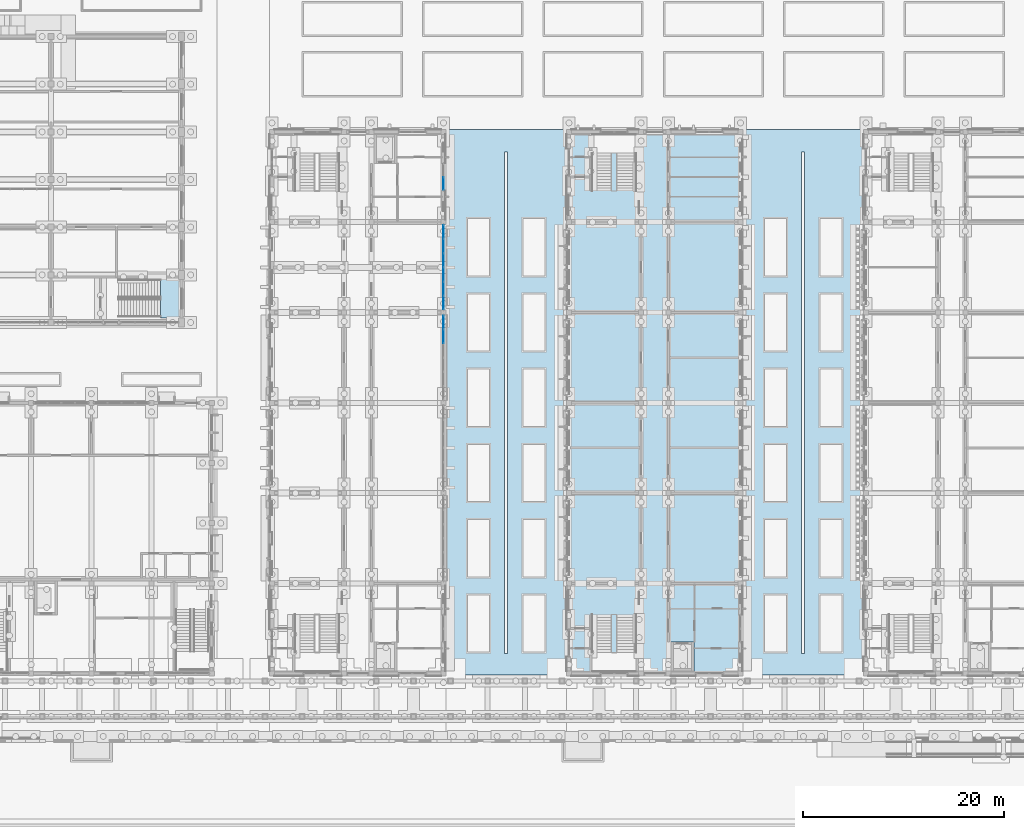
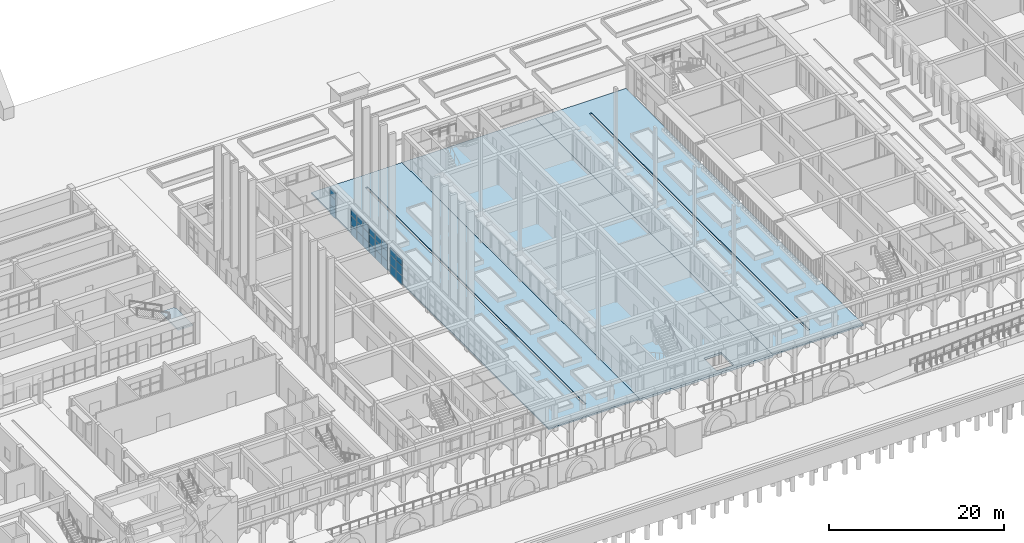
# One storey, part 47 of 161: 27 plates, 4 slabs, 4 elements without a shape of their own.
"""IFC4 building model written with IfcOpenShell, lengths in metres."""

from ifc_helpers import new_model, si_unit, direction, frame, origin, origin_2d, place, context, subcontext, project, spatial, polyline, rectangle, outline, extrude, material, layer, layer_set, type_object, element, aggregate, save


model = new_model("IFC4")

# Units and contexts
model_context = context("Model", 3, precision=1e-05, world=origin(), true_north=direction((0.0, 1.0)))
body_context = subcontext(model_context, "Body", "Model", "MODEL_VIEW")
ifc_project = project(units=[si_unit("LENGTHUNIT", "METRE"), si_unit("AREAUNIT", "SQUARE_METRE"), si_unit("VOLUMEUNIT", "CUBIC_METRE"), si_unit("PLANEANGLEUNIT", "RADIAN"), si_unit("MASSUNIT", "GRAM", prefix="KILO")], contexts=[model_context])

# Site, building, storey
site_placement = place(None, origin())
site = spatial("IfcSite", under=ifc_project, at=site_placement, CompositionType="ELEMENT")
building_placement = place(site_placement, origin())
building = spatial("IfcBuilding", under=site, at=building_placement, Name="Elbe Cascade School", CompositionType="ELEMENT")
storey_placement = place(building_placement, origin())
storey = spatial("IfcBuildingStorey", under=building, at=storey_placement, Name="L00", CompositionType="ELEMENT", Elevation=0.0)

# Curtain wall, plates
ifc_material_1 = material(Name="Aluminium frame with double glazing, bronze anodised", Category="aluminium")
ifc_layer_1 = layer(ifc_material_1, 0.199951171875)
ifc_layer_set_1 = layer_set([ifc_layer_1], Name="Aluminium frame with double glazing, bronze anodised")
curtain_wall_type = type_object("IfcCurtainWallType", Name="Bars envelope Curtain wall, aluminium, bronze anodised, ground floor tall run", PredefinedType="NOTDEFINED", material=ifc_layer_set_1)
curtain_wall_1_placement = place(storey_placement, origin())
curtain_wall_1 = element("IfcCurtainWall", 1, at=curtain_wall_1_placement, inside=storey, type_object=curtain_wall_type, Name="Curtain wall CW3 A.L00.e4", PredefinedType="NOTDEFINED")
ifc_material_2 = material(Name="Glass - double glazed low-E", Category="glass")
ifc_layer_2 = layer(ifc_material_2, 0.035888671875)
ifc_layer_set_2 = layer_set([ifc_layer_2], Name="Glass - double glazed low-E")
plate_type = type_object("IfcPlateType", Name="Bars envelope Curtain wall glazing panel 36 mm, double glazed, ground floor tall run", PredefinedType="CURTAIN_PANEL", material=ifc_layer_set_2)
plate_1_placement = place(storey_placement, frame((86.10009765625, 41.026611328125, 0.06005859375), z_axis=(0.0, 0.0, 1.0), x_axis=(0.0, -1.0, 0.0)))
plate_1 = element("IfcPlate", 2, at=plate_1_placement, type_object=plate_type, Name="CW3 panel 1.1", PredefinedType="CURTAIN_PANEL", context=body_context, shape_type="SweptSolid", body=[
    extrude(rectangle(XDim=1.32666015625, YDim=0.035888671875, at=origin_2d()), origin(), (0.0, 0.0, 1.0), 1.260009765625),
])
plate_2_placement = place(storey_placement, frame((86.10009765625, 41.026611328125, 1.3798828125), z_axis=(0.0, 0.0, 1.0), x_axis=(0.0, -1.0, 0.0)))
plate_2 = element("IfcPlate", 3, at=plate_2_placement, type_object=plate_type, Name="CW3 panel 1.2", PredefinedType="CURTAIN_PANEL", context=body_context, shape_type="SweptSolid", body=[
    extrude(rectangle(XDim=1.32666015625, YDim=0.035888671875, at=origin_2d()), origin(), (0.0, 0.0, 1.0), 1.2900390625),
])
plate_3_placement = place(storey_placement, frame((86.10009765625, 41.026611328125, 2.72998046875), z_axis=(0.0, 0.0, 1.0), x_axis=(0.0, -1.0, 0.0)))
plate_3 = element("IfcPlate", 4, at=plate_3_placement, type_object=plate_type, Name="CW3 panel 1.3", PredefinedType="CURTAIN_PANEL", context=body_context, shape_type="SweptSolid", body=[
    extrude(rectangle(XDim=1.32666015625, YDim=0.035888671875, at=origin_2d()), origin(), (0.0, 0.0, 1.0), 0.9599609375),
])
plate_4_placement = place(storey_placement, frame((86.10009765625, 39.625, 0.06005859375), z_axis=(0.0, 0.0, 1.0), x_axis=(0.0, -1.0, 0.0)))
plate_4 = element("IfcPlate", 5, at=plate_4_placement, type_object=plate_type, Name="CW3 panel 2.1", PredefinedType="CURTAIN_PANEL", context=body_context, shape_type="SweptSolid", body=[
    extrude(rectangle(XDim=1.356689453125, YDim=0.035888671875, at=origin_2d()), origin(), (0.0, 0.0, 1.0), 1.260009765625),
])
plate_5_placement = place(storey_placement, frame((86.10009765625, 39.625, 1.3798828125), z_axis=(0.0, 0.0, 1.0), x_axis=(0.0, -1.0, 0.0)))
plate_5 = element("IfcPlate", 6, at=plate_5_placement, type_object=plate_type, Name="CW3 panel 2.2", PredefinedType="CURTAIN_PANEL", context=body_context, shape_type="SweptSolid", body=[
    extrude(rectangle(XDim=1.356689453125, YDim=0.035888671875, at=origin_2d()), origin(), (0.0, 0.0, 1.0), 1.2900390625),
])
plate_6_placement = place(storey_placement, frame((86.10009765625, 39.625, 2.72998046875), z_axis=(0.0, 0.0, 1.0), x_axis=(0.0, -1.0, 0.0)))
plate_6 = element("IfcPlate", 7, at=plate_6_placement, type_object=plate_type, Name="CW3 panel 2.3", PredefinedType="CURTAIN_PANEL", context=body_context, shape_type="SweptSolid", body=[
    extrude(rectangle(XDim=1.356689453125, YDim=0.035888671875, at=origin_2d()), origin(), (0.0, 0.0, 1.0), 0.9599609375),
])
aggregate(curtain_wall_1, [plate_1, plate_2, plate_3, plate_4, plate_5, plate_6])

curtain_wall_2_placement = place(storey_placement, origin())
curtain_wall_2 = element("IfcCurtainWall", 8, at=curtain_wall_2_placement, inside=storey, type_object=curtain_wall_type, Name="Curtain wall CW3 A.L00.e5", PredefinedType="NOTDEFINED")
plate_7_placement = place(storey_placement, frame((86.10009765625, 50.026611328125, 0.06005859375), z_axis=(0.0, 0.0, 1.0), x_axis=(0.0, -1.0, 0.0)))
plate_7 = element("IfcPlate", 9, at=plate_7_placement, type_object=plate_type, Name="CW3 panel 1.1", PredefinedType="CURTAIN_PANEL", context=body_context, shape_type="SweptSolid", body=[
    extrude(rectangle(XDim=1.32666015625, YDim=0.035888671875, at=origin_2d()), origin(), (0.0, 0.0, 1.0), 1.260009765625),
])
plate_8_placement = place(storey_placement, frame((86.10009765625, 50.026611328125, 1.3798828125), z_axis=(0.0, 0.0, 1.0), x_axis=(0.0, -1.0, 0.0)))
plate_8 = element("IfcPlate", 10, at=plate_8_placement, type_object=plate_type, Name="CW3 panel 1.2", PredefinedType="CURTAIN_PANEL", context=body_context, shape_type="SweptSolid", body=[
    extrude(rectangle(XDim=1.32666015625, YDim=0.035888671875, at=origin_2d()), origin(), (0.0, 0.0, 1.0), 1.2900390625),
])
plate_9_placement = place(storey_placement, frame((86.10009765625, 50.026611328125, 2.72998046875), z_axis=(0.0, 0.0, 1.0), x_axis=(0.0, -1.0, 0.0)))
plate_9 = element("IfcPlate", 11, at=plate_9_placement, type_object=plate_type, Name="CW3 panel 1.3", PredefinedType="CURTAIN_PANEL", context=body_context, shape_type="SweptSolid", body=[
    extrude(rectangle(XDim=1.32666015625, YDim=0.035888671875, at=origin_2d()), origin(), (0.0, 0.0, 1.0), 0.9599609375),
])
plate_10_placement = place(storey_placement, frame((86.10009765625, 48.625, 0.06005859375), z_axis=(0.0, 0.0, 1.0), x_axis=(0.0, -1.0, 0.0)))
plate_10 = element("IfcPlate", 12, at=plate_10_placement, type_object=plate_type, Name="CW3 panel 2.1", PredefinedType="CURTAIN_PANEL", context=body_context, shape_type="SweptSolid", body=[
    extrude(rectangle(XDim=1.356689453125, YDim=0.035888671875, at=origin_2d()), origin(), (0.0, 0.0, 1.0), 1.260009765625),
])
plate_11_placement = place(storey_placement, frame((86.10009765625, 48.625, 1.3798828125), z_axis=(0.0, 0.0, 1.0), x_axis=(0.0, -1.0, 0.0)))
plate_11 = element("IfcPlate", 13, at=plate_11_placement, type_object=plate_type, Name="CW3 panel 2.2", PredefinedType="CURTAIN_PANEL", context=body_context, shape_type="SweptSolid", body=[
    extrude(rectangle(XDim=1.356689453125, YDim=0.035888671875, at=origin_2d()), origin(), (0.0, 0.0, 1.0), 1.2900390625),
])
plate_12_placement = place(storey_placement, frame((86.10009765625, 48.625, 2.72998046875), z_axis=(0.0, 0.0, 1.0), x_axis=(0.0, -1.0, 0.0)))
plate_12 = element("IfcPlate", 14, at=plate_12_placement, type_object=plate_type, Name="CW3 panel 2.3", PredefinedType="CURTAIN_PANEL", context=body_context, shape_type="SweptSolid", body=[
    extrude(rectangle(XDim=1.356689453125, YDim=0.035888671875, at=origin_2d()), origin(), (0.0, 0.0, 1.0), 0.9599609375),
])
plate_13_placement = place(storey_placement, frame((86.10009765625, 47.208251953125, 0.06005859375), z_axis=(0.0, 0.0, 1.0), x_axis=(0.0, -1.0, 0.0)))
plate_13 = element("IfcPlate", 15, at=plate_13_placement, type_object=plate_type, Name="CW3 panel 3.1", PredefinedType="CURTAIN_PANEL", context=body_context, shape_type="SweptSolid", body=[
    extrude(rectangle(XDim=1.356689453125, YDim=0.035888671875, at=origin_2d()), origin(), (0.0, 0.0, 1.0), 1.260009765625),
])
plate_14_placement = place(storey_placement, frame((86.10009765625, 47.208251953125, 1.3798828125), z_axis=(0.0, 0.0, 1.0), x_axis=(0.0, -1.0, 0.0)))
plate_14 = element("IfcPlate", 16, at=plate_14_placement, type_object=plate_type, Name="CW3 panel 3.2", PredefinedType="CURTAIN_PANEL", context=body_context, shape_type="SweptSolid", body=[
    extrude(rectangle(XDim=1.356689453125, YDim=0.035888671875, at=origin_2d()), origin(), (0.0, 0.0, 1.0), 1.2900390625),
])
plate_15_placement = place(storey_placement, frame((86.10009765625, 47.208251953125, 2.72998046875), z_axis=(0.0, 0.0, 1.0), x_axis=(0.0, -1.0, 0.0)))
plate_15 = element("IfcPlate", 17, at=plate_15_placement, type_object=plate_type, Name="CW3 panel 3.3", PredefinedType="CURTAIN_PANEL", context=body_context, shape_type="SweptSolid", body=[
    extrude(rectangle(XDim=1.356689453125, YDim=0.035888671875, at=origin_2d()), origin(), (0.0, 0.0, 1.0), 0.9599609375),
])
plate_16_placement = place(storey_placement, frame((86.10009765625, 45.791748046875, 0.06005859375), z_axis=(0.0, 0.0, 1.0), x_axis=(0.0, -1.0, 0.0)))
plate_16 = element("IfcPlate", 18, at=plate_16_placement, type_object=plate_type, Name="CW3 panel 4.1", PredefinedType="CURTAIN_PANEL", context=body_context, shape_type="SweptSolid", body=[
    extrude(rectangle(XDim=1.356689453125, YDim=0.035888671875, at=origin_2d()), origin(), (0.0, 0.0, 1.0), 1.260009765625),
])
plate_17_placement = place(storey_placement, frame((86.10009765625, 45.791748046875, 1.3798828125), z_axis=(0.0, 0.0, 1.0), x_axis=(0.0, -1.0, 0.0)))
plate_17 = element("IfcPlate", 19, at=plate_17_placement, type_object=plate_type, Name="CW3 panel 4.2", PredefinedType="CURTAIN_PANEL", context=body_context, shape_type="SweptSolid", body=[
    extrude(rectangle(XDim=1.356689453125, YDim=0.035888671875, at=origin_2d()), origin(), (0.0, 0.0, 1.0), 1.2900390625),
])
plate_18_placement = place(storey_placement, frame((86.10009765625, 45.791748046875, 2.72998046875), z_axis=(0.0, 0.0, 1.0), x_axis=(0.0, -1.0, 0.0)))
plate_18 = element("IfcPlate", 20, at=plate_18_placement, type_object=plate_type, Name="CW3 panel 4.3", PredefinedType="CURTAIN_PANEL", context=body_context, shape_type="SweptSolid", body=[
    extrude(rectangle(XDim=1.356689453125, YDim=0.035888671875, at=origin_2d()), origin(), (0.0, 0.0, 1.0), 0.9599609375),
])
plate_19_placement = place(storey_placement, frame((86.10009765625, 44.375, 0.06005859375), z_axis=(0.0, 0.0, 1.0), x_axis=(0.0, -1.0, 0.0)))
plate_19 = element("IfcPlate", 21, at=plate_19_placement, type_object=plate_type, Name="CW3 panel 5.1", PredefinedType="CURTAIN_PANEL", context=body_context, shape_type="SweptSolid", body=[
    extrude(rectangle(XDim=1.356689453125, YDim=0.035888671875, at=origin_2d()), origin(), (0.0, 0.0, 1.0), 1.260009765625),
])
plate_20_placement = place(storey_placement, frame((86.10009765625, 44.375, 1.3798828125), z_axis=(0.0, 0.0, 1.0), x_axis=(0.0, -1.0, 0.0)))
plate_20 = element("IfcPlate", 22, at=plate_20_placement, type_object=plate_type, Name="CW3 panel 5.2", PredefinedType="CURTAIN_PANEL", context=body_context, shape_type="SweptSolid", body=[
    extrude(rectangle(XDim=1.356689453125, YDim=0.035888671875, at=origin_2d()), origin(), (0.0, 0.0, 1.0), 1.2900390625),
])
plate_21_placement = place(storey_placement, frame((86.10009765625, 44.375, 2.72998046875), z_axis=(0.0, 0.0, 1.0), x_axis=(0.0, -1.0, 0.0)))
plate_21 = element("IfcPlate", 23, at=plate_21_placement, type_object=plate_type, Name="CW3 panel 5.3", PredefinedType="CURTAIN_PANEL", context=body_context, shape_type="SweptSolid", body=[
    extrude(rectangle(XDim=1.356689453125, YDim=0.035888671875, at=origin_2d()), origin(), (0.0, 0.0, 1.0), 0.9599609375),
])
plate_22_placement = place(storey_placement, frame((86.10009765625, 42.973388671875, 0.06005859375), z_axis=(0.0, 0.0, 1.0), x_axis=(0.0, -1.0, 0.0)))
plate_22 = element("IfcPlate", 24, at=plate_22_placement, type_object=plate_type, Name="CW3 panel 6.1", PredefinedType="CURTAIN_PANEL", context=body_context, shape_type="SweptSolid", body=[
    extrude(rectangle(XDim=1.32666015625, YDim=0.035888671875, at=origin_2d()), origin(), (0.0, 0.0, 1.0), 1.260009765625),
])
plate_23_placement = place(storey_placement, frame((86.10009765625, 42.973388671875, 1.3798828125), z_axis=(0.0, 0.0, 1.0), x_axis=(0.0, -1.0, 0.0)))
plate_23 = element("IfcPlate", 25, at=plate_23_placement, type_object=plate_type, Name="CW3 panel 6.2", PredefinedType="CURTAIN_PANEL", context=body_context, shape_type="SweptSolid", body=[
    extrude(rectangle(XDim=1.32666015625, YDim=0.035888671875, at=origin_2d()), origin(), (0.0, 0.0, 1.0), 1.2900390625),
])
plate_24_placement = place(storey_placement, frame((86.10009765625, 42.973388671875, 2.72998046875), z_axis=(0.0, 0.0, 1.0), x_axis=(0.0, -1.0, 0.0)))
plate_24 = element("IfcPlate", 26, at=plate_24_placement, type_object=plate_type, Name="CW3 panel 6.3", PredefinedType="CURTAIN_PANEL", context=body_context, shape_type="SweptSolid", body=[
    extrude(rectangle(XDim=1.32666015625, YDim=0.035888671875, at=origin_2d()), origin(), (0.0, 0.0, 1.0), 0.9599609375),
])
aggregate(curtain_wall_2, [plate_7, plate_8, plate_9, plate_10, plate_11, plate_12, plate_13, plate_14, plate_15, plate_16, plate_17, plate_18, plate_19, plate_20, plate_21, plate_22, plate_23, plate_24])

curtain_wall_3_placement = place(storey_placement, origin())
curtain_wall_3 = element("IfcCurtainWall", 27, at=curtain_wall_3_placement, inside=storey, type_object=curtain_wall_type, Name="Curtain wall CW3 A.L00.e6", PredefinedType="NOTDEFINED")
plate_25_placement = place(storey_placement, frame((86.10009765625, 54.840087890625, 0.06005859375), z_axis=(0.0, 0.0, 1.0), x_axis=(0.0, -1.0, 0.0)))
plate_25 = element("IfcPlate", 28, at=plate_25_placement, type_object=plate_type, Name="CW3 panel 2.1", PredefinedType="CURTAIN_PANEL", context=body_context, shape_type="SweptSolid", body=[
    extrude(rectangle(XDim=1.260009765625, YDim=0.035888671875, at=origin_2d()), origin(), (0.0, 0.0, 1.0), 1.260009765625),
])
plate_26_placement = place(storey_placement, frame((86.10009765625, 54.840087890625, 1.3798828125), z_axis=(0.0, 0.0, 1.0), x_axis=(0.0, -1.0, 0.0)))
plate_26 = element("IfcPlate", 29, at=plate_26_placement, type_object=plate_type, Name="CW3 panel 2.2", PredefinedType="CURTAIN_PANEL", context=body_context, shape_type="SweptSolid", body=[
    extrude(rectangle(XDim=1.260009765625, YDim=0.035888671875, at=origin_2d()), origin(), (0.0, 0.0, 1.0), 1.2900390625),
])
plate_27_placement = place(storey_placement, frame((86.10009765625, 54.840087890625, 2.72998046875), z_axis=(0.0, 0.0, 1.0), x_axis=(0.0, -1.0, 0.0)))
plate_27 = element("IfcPlate", 30, at=plate_27_placement, type_object=plate_type, Name="CW3 panel 2.3", PredefinedType="CURTAIN_PANEL", context=body_context, shape_type="SweptSolid", body=[
    extrude(rectangle(XDim=1.260009765625, YDim=0.035888671875, at=origin_2d()), origin(), (0.0, 0.0, 1.0), 0.9599609375),
])
aggregate(curtain_wall_3, [plate_25, plate_26, plate_27])

# Slab
ifc_material_3 = material(Name="Concrete C35/45", Category="concrete")
ifc_layer_3 = layer(ifc_material_3, 0.300048828125)
ifc_layer_set_3 = layer_set([ifc_layer_3], Name="Concrete C35/45")
slab_type_1 = type_object("IfcSlabType", Name="Ground slab 300", PredefinedType="BASESLAB", material=ifc_layer_set_3)
slab_1_placement = place(storey_placement, frame((0.0, 0.0, -0.300048828125)))
element("IfcSlab", 31, at=slab_1_placement, inside=storey, type_object=slab_type_1, Name="Ground slab 300 S1", PredefinedType="BASESLAB", context=body_context, shape_type="SweptSolid", body=[
    extrude(outline(polyline([(98.35009765625, 5.75), (115.949951171875, 5.75), (115.949951171875, 60.25), (98.35009765625, 60.25), (98.35009765625, 5.75)]), holes=[polyline([(108.75, 6.25), (111.050048828125, 6.25), (111.050048828125, 9.14990234375), (108.75, 9.14990234375), (108.75, 6.25)])]), origin(), (0.0, 0.0, 1.0), 0.300048828125),
])

# Stair, slab
ifc_material_4 = material(Name="Concrete C30/37", Category="concrete")
stair_type = type_object("IfcStairType", Name="Hall exit stair Concrete C30/37", PredefinedType="HALF_TURN_STAIR", material=ifc_material_4)
stair_placement = place(storey_placement, origin())
stair = element("IfcStair", 32, at=stair_placement, inside=storey, type_object=stair_type, Name="Exit stair E", PredefinedType="HALF_TURN_STAIR")
ifc_material_5 = material(Name="Concrete C30/37", Category="concrete")
ifc_layer_4 = layer(ifc_material_5, 0.199951171875)
ifc_layer_set_4 = layer_set([ifc_layer_4], Name="Concrete C30/37")
slab_type_2 = type_object("IfcSlabType", Name="Hall stair landing Concrete C30/37", PredefinedType="LANDING", material=ifc_layer_set_4)
slab_2_placement = place(storey_placement, frame((0.0, 0.0, 2.050048828125)))
slab_2 = element("IfcSlab", 33, at=slab_2_placement, type_object=slab_type_2, Name="ST4 landing 1", PredefinedType="LANDING", context=body_context, shape_type="SweptSolid", body=[
    extrude(outline(polyline([(59.85009765625, 41.449951171875), (57.89990234375, 41.449951171875), (57.89990234375, 45.449951171875), (59.699951171875, 45.449951171875), (59.699951171875, 45.300048828125), (59.85009765625, 45.300048828125), (59.85009765625, 41.449951171875)])), origin(), (0.0, 0.0, 1.0), 0.199951171875),
])
aggregate(stair, [slab_2])

# Slabs
ifc_material_6 = material(Name="Concrete C30/37", Category="concrete")
ifc_layer_5 = layer(ifc_material_6, 0.199951171875)
ifc_layer_set_5 = layer_set([ifc_layer_5], Name="Concrete C30/37")
slab_type_3 = type_object("IfcSlabType", Name="Paving slab 200", PredefinedType="BASESLAB", material=ifc_layer_set_5)
slab_3_placement = place(storey_placement, frame((0.0, 0.0, -0.199951171875)))
element("IfcSlab", 34, at=slab_3_placement, inside=storey, type_object=slab_type_3, Name="Court A-B paving", PredefinedType="BASESLAB", context=body_context, shape_type="SweptSolid", body=[
    extrude(outline(polyline([(86.35009765625, 60.25), (86.35009765625, 59.75), (86.35009765625, 51.25), (86.35009765625, 50.75), (86.35009765625, 42.25), (86.35009765625, 41.75), (86.35009765625, 33.25), (86.35009765625, 32.75), (86.35009765625, 24.25), (86.35009765625, 23.75), (86.35009765625, 15.25), (86.35009765625, 14.75), (86.35009765625, 6.25), (86.35009765625, 5.85009765625), (98.35009765625, 5.85009765625), (98.35009765625, 6.25), (98.35009765625, 14.75), (98.35009765625, 15.25), (98.35009765625, 23.75), (98.35009765625, 24.25), (98.35009765625, 32.75), (98.35009765625, 33.25), (98.35009765625, 41.75), (98.35009765625, 42.25), (98.35009765625, 50.75), (98.35009765625, 51.25), (98.35009765625, 59.75), (98.35009765625, 60.25), (86.35009765625, 60.25)]), holes=[polyline([(92.5, 8.0), (92.199951171875, 8.0), (92.199951171875, 58.0), (92.5, 58.0), (92.5, 8.0)])]), origin(), (0.0, 0.0, 1.0), 0.199951171875),
])
slab_4_placement = place(storey_placement, frame((0.0, 0.0, -0.199951171875)))
element("IfcSlab", 35, at=slab_4_placement, inside=storey, type_object=slab_type_3, Name="Court B-C paving", PredefinedType="BASESLAB", context=body_context, shape_type="SweptSolid", body=[
    extrude(outline(polyline([(127.949951171875, 60.25), (115.949951171875, 60.25), (115.949951171875, 59.75), (115.949951171875, 51.25), (115.949951171875, 50.75), (115.949951171875, 42.25), (115.949951171875, 41.75), (115.949951171875, 33.25), (115.949951171875, 32.75), (115.949951171875, 24.25), (115.949951171875, 23.75), (115.949951171875, 15.25), (115.949951171875, 14.75), (115.949951171875, 6.25), (115.949951171875, 5.85009765625), (127.949951171875, 5.85009765625), (127.949951171875, 6.25), (127.949951171875, 14.75), (127.949951171875, 15.25), (127.949951171875, 23.75), (127.949951171875, 24.25), (127.949951171875, 32.75), (127.949951171875, 33.25), (127.949951171875, 41.75), (127.949951171875, 42.25), (127.949951171875, 50.75), (127.949951171875, 51.25), (127.949951171875, 59.75), (127.949951171875, 60.25)]), holes=[polyline([(122.10009765625, 8.0), (121.800048828125, 8.0), (121.800048828125, 58.0), (122.10009765625, 58.0), (122.10009765625, 8.0)])]), origin(), (0.0, 0.0, 1.0), 0.199951171875),
])

save(model, "model.ifc")
